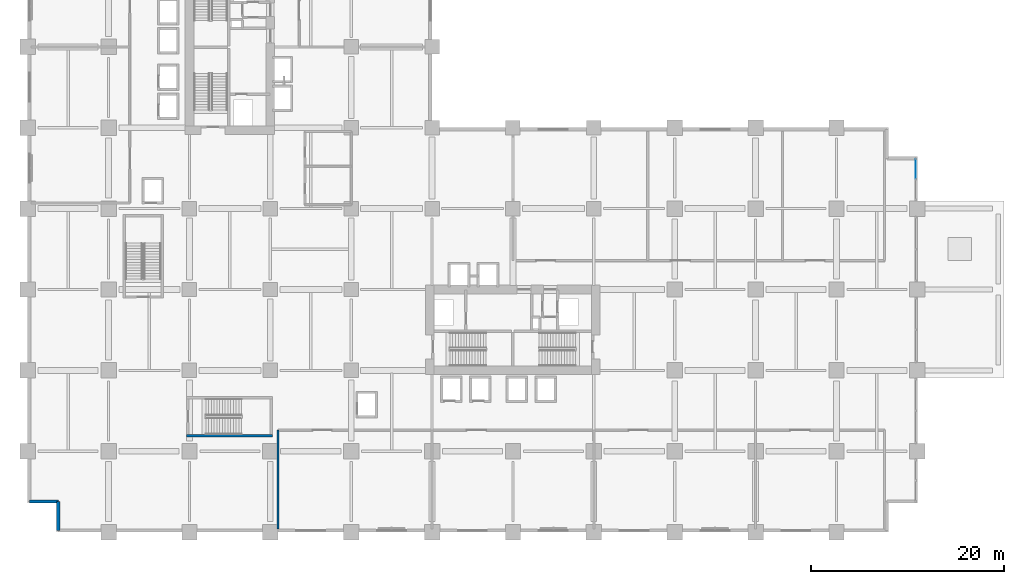
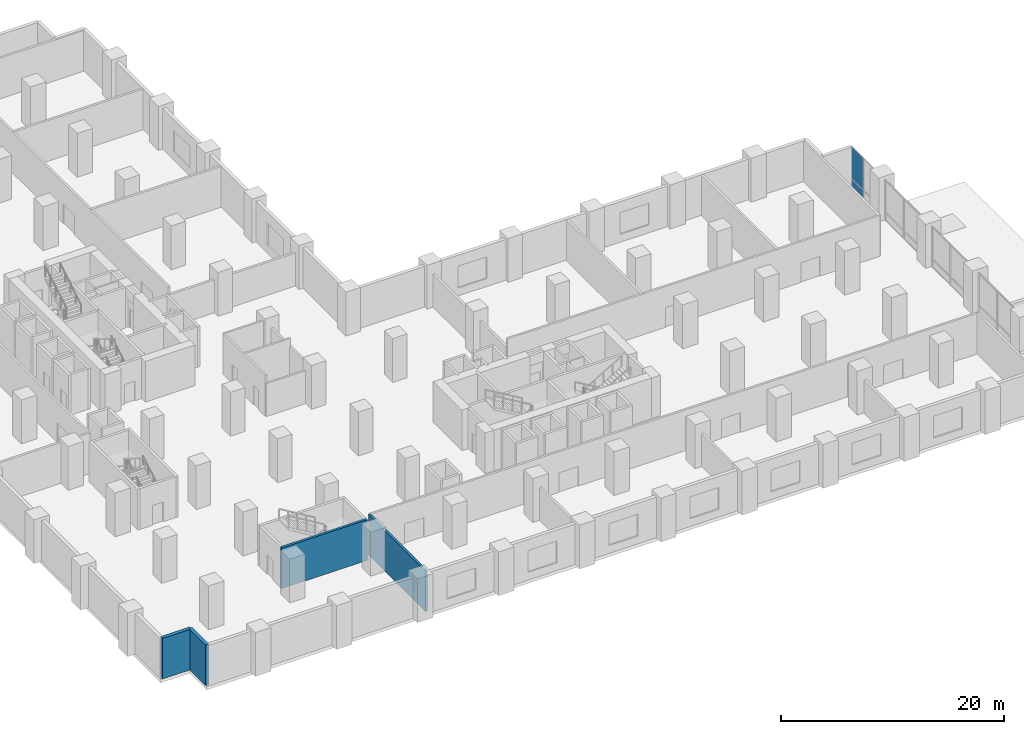
# One storey, part 9 of 22: 4 walls, 2 plates, 1 element without a shape of its own.
"""IFC4 building model written with IfcOpenShell, lengths in metres."""

from ifc_helpers import new_model, si_unit, direction, frame, frame_2d, origin, origin_2d, place, context, subcontext, project, spatial, rectangle, extrude, material, layer, layer_set, type_object, element, aggregate, save


model = new_model("IFC4")

# Units and contexts
model_context = context("Model", 3, precision=1e-05, world=origin(), true_north=direction((0.0, 1.0)))
body_context = subcontext(model_context, "Body", "Model", "MODEL_VIEW")
ifc_project = project(units=[si_unit("LENGTHUNIT", "METRE"), si_unit("AREAUNIT", "SQUARE_METRE"), si_unit("VOLUMEUNIT", "CUBIC_METRE"), si_unit("PLANEANGLEUNIT", "RADIAN"), si_unit("MASSUNIT", "GRAM", prefix="KILO")], contexts=[model_context])

# Site, building, storey
site_placement = place(None, origin())
site = spatial("IfcSite", under=ifc_project, at=site_placement, CompositionType="ELEMENT")
building_placement = place(site_placement, origin())
building = spatial("IfcBuilding", under=site, at=building_placement, Name="Koriwani Terraces Tower", CompositionType="ELEMENT")
storey_placement = place(building_placement, frame((0.0, 0.0, 6.0)))
storey = spatial("IfcBuildingStorey", under=building, at=storey_placement, Name="L01", CompositionType="ELEMENT", Elevation=6.0)

# Curtain wall, plates
ifc_material_1 = material(Name="Anodised Bronze Aluminium", Category="aluminium")
ifc_layer_1 = layer(ifc_material_1, 0.199951171875, Name="Anodised Bronze Aluminium")
ifc_layer_set_1 = layer_set([ifc_layer_1], Name="Anodised Bronze Aluminium")
curtain_wall_type = type_object("IfcCurtainWallType", Name="CW_PODIUM_GALLERIA", PredefinedType="NOTDEFINED", material=ifc_layer_set_1)
curtain_wall_placement = place(storey_placement, origin())
curtain_wall = element("IfcCurtainWall", 1, at=curtain_wall_placement, inside=storey, type_object=curtain_wall_type, Name="L01 Unitised Curtain Wall (E_TIP) Bay 1", PredefinedType="NOTDEFINED")
ifc_material_2 = material(Name="Tempered Laminated Low-E Glass", Category="glass")
ifc_layer_2 = layer(ifc_material_2, 0.028076171875, Name="Tempered Laminated Low-E Glass")
ifc_layer_set_2 = layer_set([ifc_layer_2], Name="Tempered Laminated Low-E Glass")
plate_type = type_object("IfcPlateType", Name="CW_PANEL_VISION_28", PredefinedType="CURTAIN_PANEL", material=ifc_layer_set_2)
plate_1_placement = place(storey_placement, frame((92.22509765625, 37.71240234375, 0.06494140625), z_axis=(0.0, 0.0, 1.0), x_axis=(0.0, -1.0, 0.0)))
plate_1 = element("IfcPlate", 2, at=plate_1_placement, type_object=plate_type, Name="CW-POD panel 1.1", PredefinedType="CURTAIN_PANEL", context=body_context, shape_type="SweptSolid", body=[
    extrude(rectangle(XDim=2.054931640625, YDim=0.028076171875, at=origin_2d()), origin(), (0.0, 0.0, 1.0), 0.802490234375),
])
plate_2_placement = place(storey_placement, frame((92.22509765625, 37.71240234375, 0.9326171875), z_axis=(0.0, 0.0, 1.0), x_axis=(0.0, -1.0, 0.0)))
plate_2 = element("IfcPlate", 3, at=plate_2_placement, type_object=plate_type, Name="CW-POD panel 1.2", PredefinedType="CURTAIN_PANEL", context=body_context, shape_type="SweptSolid", body=[
    extrude(rectangle(XDim=2.054931640625, YDim=0.028076171875, at=origin_2d()), origin(), (0.0, 0.0, 1.0), 3.452392578125),
])
aggregate(curtain_wall, [plate_1, plate_2])

# Walls
ifc_material_3 = material(Name="Autoclaved Cellular Concrete Blockwork", Category="masonry")
ifc_layer_3 = layer(ifc_material_3, 0.219970703125, Name="Autoclaved Cellular Concrete Blockwork")
ifc_layer_set_3 = layer_set([ifc_layer_3], Name="Autoclaved Cellular Concrete Blockwork")
wall_type_1 = type_object("IfcWallType", Name="WALL_DEMISING_220", PredefinedType="PARTITIONING", material=ifc_layer_set_3)
wall_1_placement = place(storey_placement, frame((26.0, 0.35009765625, 0.0), z_axis=(0.0, 0.0, 1.0), x_axis=(0.0, 1.0, 0.0)))
element("IfcWall", 4, at=wall_1_placement, inside=storey, type_object=wall_type_1, Name="L01 Interior Wall WPOD-SD-L01-0", PredefinedType="PARTITIONING", context=body_context, shape_type="SweptSolid", body=[
    extrude(rectangle(XDim=10.25, YDim=0.219970703125, at=frame_2d((5.125, 0.0))), origin(), (0.0, 0.0, 1.0), 4.449951171875),
])
ifc_material_4 = material(Name="Concrete C50/60", Category="concrete")
ifc_layer_4 = layer(ifc_material_4, 0.35009765625, Name="Concrete C50/60")
ifc_layer_set_4 = layer_set([ifc_layer_4], Name="Concrete C50/60")
wall_type_2 = type_object("IfcWallType", Name="WALL_EXT_BRUTALIST_350", PredefinedType="STANDARD", material=ifc_layer_set_4)
for number, where, z_axis, x_axis, name in (
    (5, (3.175048828125, 0.175048828125, 0.0), (0.0, 0.0, 1.0), (0.0, 1.0, 0.0), "L01 Fair-Faced Brutalist Exterior Wall (N0)"),
    (6, (3.175048828125, 3.175048828125, 0.0), (0.0, 0.0, 1.0), (-1.0, 0.0, 0.0), "L01 Fair-Faced Brutalist Exterior Wall (N1)"),
):
    element("IfcWall", number, at=place(storey_placement, frame(where, z_axis=z_axis, x_axis=x_axis)), inside=storey, type_object=wall_type_2, Name=name, PredefinedType="STANDARD", context=body_context, shape_type="SweptSolid", body=[
        extrude(rectangle(XDim=3.0, YDim=0.35009765625, at=frame_2d((1.5, 0.0))), origin(), (0.0, 0.0, 1.0), 4.449951171875),
    ])
ifc_material_5 = material(Name="Concrete C40/50", Category="concrete")
ifc_layer_5 = layer(ifc_material_5, 0.25, Name="Concrete C40/50")
ifc_layer_set_5 = layer_set([ifc_layer_5], Name="Concrete C40/50")
wall_type_3 = type_object("IfcWallType", Name="WALL_SHAFT_RATED_250", PredefinedType="SOLIDWALL", material=ifc_layer_set_5)
wall_2_placement = place(storey_placement, frame((16.5, 10.02490234375, 0.0), z_axis=(0.0, 0.0, 1.0), x_axis=(1.0, 0.0, 0.0)))
element("IfcWall", 7, at=wall_2_placement, inside=storey, type_object=wall_type_3, Name="L01 Podium Stair ST-P2 South Bearing Wall", PredefinedType="SOLIDWALL", context=body_context, shape_type="SweptSolid", body=[
    extrude(rectangle(XDim=8.89990234375, YDim=0.25, at=frame_2d((4.449951171875, 0.0))), origin(), (0.0, 0.0, 1.0), 4.449951171875),
])

save(model, "model.ifc")
